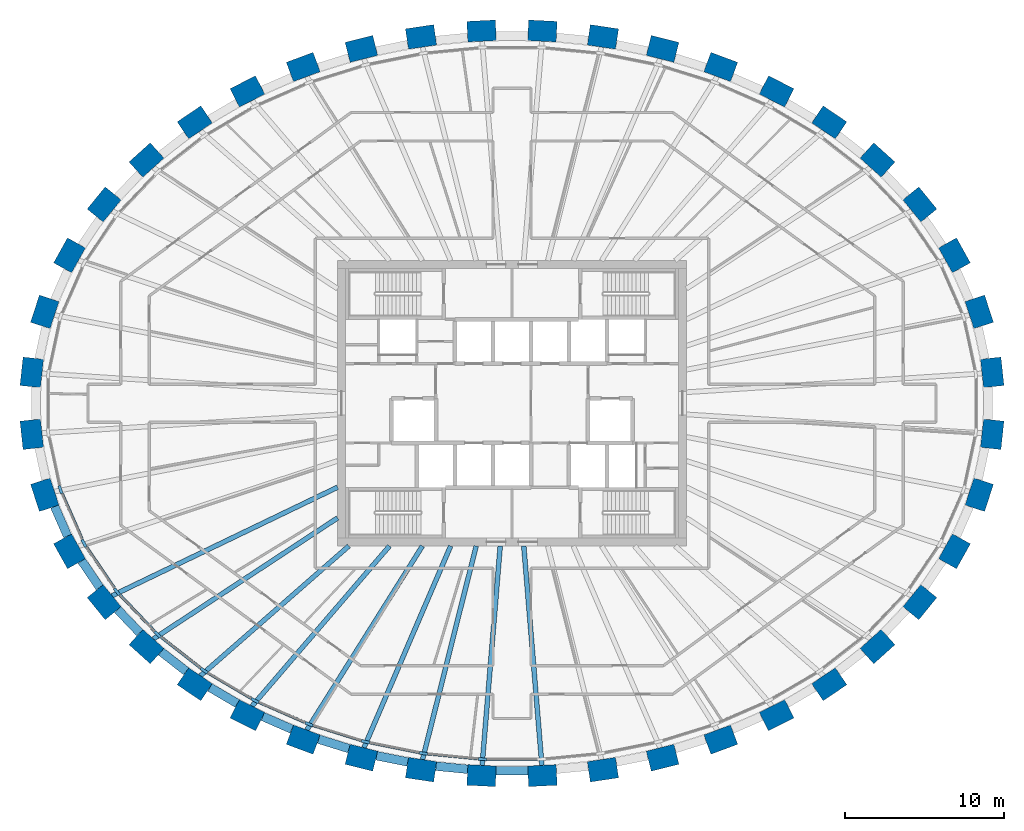
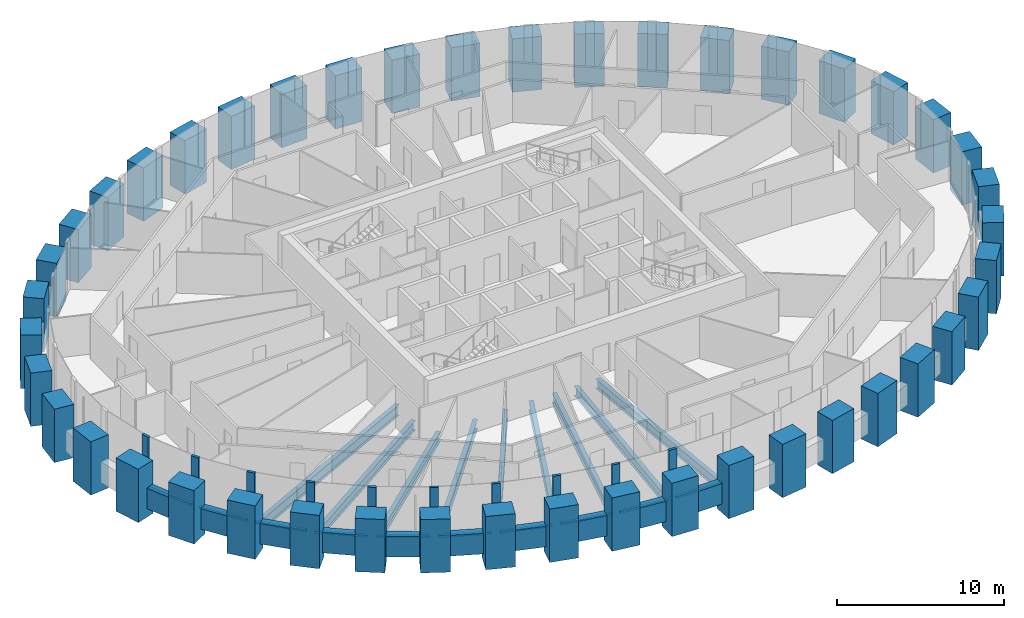
# One storey, part 1 of 11: 44 columns, 20 members, 19 beams, 1 element without a shape of its own.
"""IFC4 building model written with IfcOpenShell, lengths in metres."""

from ifc_helpers import new_model, si_unit, direction, frame, origin, origin_2d, place, context, subcontext, project, spatial, rectangle, i_section, extrude, source, transform, mapped, material, material_profile, profile_set, type_object, element, aggregate, save


model = new_model("IFC4")

# Units and contexts
model_context = context("Model", 3, precision=1e-05, world=origin(), true_north=direction((0.0, 1.0)))
body_context = subcontext(model_context, "Body", "Model", "MODEL_VIEW")
ifc_project = project(units=[si_unit("LENGTHUNIT", "METRE"), si_unit("AREAUNIT", "SQUARE_METRE"), si_unit("VOLUMEUNIT", "CUBIC_METRE"), si_unit("PLANEANGLEUNIT", "RADIAN"), si_unit("MASSUNIT", "GRAM", prefix="KILO")], contexts=[model_context])

# Site, building, storey
site_placement = place(None, origin())
site = spatial("IfcSite", under=ifc_project, at=site_placement, CompositionType="ELEMENT")
building_placement = place(site_placement, origin())
building = spatial("IfcBuilding", under=site, at=building_placement, Name="Embergate Tower", CompositionType="ELEMENT")
storey_placement = place(building_placement, frame((0.0, 0.0, 305.199951171875)))
storey = spatial("IfcBuildingStorey", under=building, at=storey_placement, Name="L71", CompositionType="ELEMENT", Elevation=305.199951171875)

# Columns
ifc_material_1 = material(Name="Concrete C50", Category="concrete")
ifc_material_profile_1 = material_profile(ifc_material_1, rectangle(XDim=1.300048828125, YDim=1.800048828125, at=origin_2d()), Name="RC 1300x1800")
ifc_profile_set_1 = profile_set([ifc_material_profile_1], Name="Concrete C50")
column_type = type_object("IfcColumnType", Name="Ring column RC 1300x1800 C50", PredefinedType="COLUMN", material=ifc_profile_set_1)
shared_shape_1 = source(origin(), body_context, "Body", "SweptSolid", [
    extrude(rectangle(XDim=1.300048828125, YDim=1.800048828125, at=origin_2d()), origin(), (0.0, 0.0, 1.0), 3.89990234375),
])
for number, where, z_axis, x_axis, name in (
    (1, (30.285888671875, 1.951904296875, -1.39990234375), (0.0, 0.0, 1.0), (0.99428589498, 0.106749983816, 0.0), "COL-L71-00"),
    (2, (29.466064453125, 5.76611328125, -1.39990234375), (0.0, 0.0, 1.0), (0.950754033697, 0.309946394413, 0.0), "COL-L71-01"),
    (3, (27.903076171875, 9.3310546875, -1.39990234375), (0.0, 0.0, 1.0), (0.873500465855, 0.486823311018, 0.0), "COL-L71-02"),
    (4, (25.719970703125, 12.541015625, -1.39990234375), (0.0, 0.0, 1.0), (0.775925311702, 0.630824786022, 0.0), "COL-L71-03"),
    (5, (23.050048828125, 15.342041015625, -1.39990234375), (0.0, 0.0, 1.0), (0.669221393633, 0.743063070206, 0.0), "COL-L71-04"),
    (6, (20.007080078125, 17.717041015625, -1.39990234375), (0.0, 0.0, 1.0), (0.560393279442, 0.828226643109, 0.0), "COL-L71-05"),
    (7, (16.68701171875, 19.6689453125, -1.39990234375), (0.0, 0.0, 1.0), (0.453010512651, 0.891505174089, 0.0), "COL-L71-06"),
    (8, (13.1640625, 21.208984375, -1.39990234375), (0.0, 0.0, 1.0), (0.348343015724, 0.93736713373, 0.0), "COL-L71-07"),
    (9, (9.4970703125, 22.35107421875, -1.39990234375), (0.0, 0.0, 1.0), (0.24650851817, 0.969140624713, 0.0), "COL-L71-08"),
    (10, (5.735107421875, 23.10595703125, -1.39990234375), (0.0, 0.0, 1.0), (0.146929011949, 0.989147039346, 0.0), "COL-L71-09"),
    (11, (1.9169921875, 23.48095703125, -1.39990234375), (0.0, 0.0, 1.0), (0.048814904854, 0.998807841912, 0.0), "COL-L71-10"),
    (12, (-1.9169921875, 23.48095703125, -1.39990234375), (0.0, 0.0, 1.0), (-0.048814904854, 0.998807841912, 0.0), "COL-L71-11"),
    (13, (-5.735107421875, 23.10595703125, -1.39990234375), (0.0, 0.0, 1.0), (-0.146929011949, 0.989147039346, 0.0), "COL-L71-12"),
    (14, (-9.4970703125, 22.35107421875, -1.39990234375), (0.0, 0.0, 1.0), (-0.24650851817, 0.969140624713, 0.0), "COL-L71-13"),
    (15, (-13.1640625, 21.208984375, -1.39990234375), (0.0, 0.0, 1.0), (-0.348343015724, 0.93736713373, 0.0), "COL-L71-14"),
    (16, (-16.68701171875, 19.6689453125, -1.39990234375), (0.0, 0.0, 1.0), (-0.453010512651, 0.891505174089, 0.0), "COL-L71-15"),
    (17, (-20.007080078125, 17.717041015625, -1.39990234375), (0.0, 0.0, 1.0), (-0.560393279442, 0.828226643109, 0.0), "COL-L71-16"),
    (18, (-23.050048828125, 15.342041015625, -1.39990234375), (0.0, 0.0, 1.0), (-0.669221393633, 0.743063070206, 0.0), "COL-L71-17"),
    (19, (-25.719970703125, 12.541015625, -1.39990234375), (0.0, 0.0, 1.0), (-0.775925311702, 0.630824786022, 0.0), "COL-L71-18"),
    (20, (-27.903076171875, 9.3310546875, -1.39990234375), (0.0, 0.0, 1.0), (-0.873500465855, 0.486823311018, 0.0), "COL-L71-19"),
    (21, (-29.466064453125, 5.76611328125, -1.39990234375), (0.0, 0.0, 1.0), (-0.950754033697, 0.309946394413, 0.0), "COL-L71-20"),
    (22, (-30.285888671875, 1.951904296875, -1.39990234375), (0.0, 0.0, 1.0), (-0.99428589498, 0.106749983816, 0.0), "COL-L71-21"),
    (23, (-30.285888671875, -1.951904296875, -1.39990234375), (0.0, 0.0, 1.0), (-0.99428589498, -0.106749983816, 0.0), "COL-L71-22"),
    (24, (-29.466064453125, -5.76611328125, -1.39990234375), (0.0, 0.0, 1.0), (-0.950754033697, -0.309946394413, 0.0), "COL-L71-23"),
    (25, (-27.903076171875, -9.3310546875, -1.39990234375), (0.0, 0.0, 1.0), (-0.873500465855, -0.486823311018, 0.0), "COL-L71-24"),
    (26, (-25.719970703125, -12.541015625, -1.39990234375), (0.0, 0.0, 1.0), (-0.775925311702, -0.630824786022, 0.0), "COL-L71-25"),
    (27, (-23.050048828125, -15.342041015625, -1.39990234375), (0.0, 0.0, 1.0), (-0.669221393633, -0.743063070206, 0.0), "COL-L71-26"),
    (28, (-20.007080078125, -17.717041015625, -1.39990234375), (0.0, 0.0, 1.0), (-0.560393279442, -0.828226643109, 0.0), "COL-L71-27"),
    (29, (-16.68701171875, -19.6689453125, -1.39990234375), (0.0, 0.0, 1.0), (-0.453010512651, -0.891505174089, 0.0), "COL-L71-28"),
    (30, (-13.1640625, -21.208984375, -1.39990234375), (0.0, 0.0, 1.0), (-0.348343015724, -0.93736713373, 0.0), "COL-L71-29"),
    (31, (-9.4970703125, -22.35107421875, -1.39990234375), (0.0, 0.0, 1.0), (-0.24650851817, -0.969140624713, 0.0), "COL-L71-30"),
    (32, (-5.735107421875, -23.10595703125, -1.39990234375), (0.0, 0.0, 1.0), (-0.146929011949, -0.989147039346, 0.0), "COL-L71-31"),
    (33, (-1.9169921875, -23.48095703125, -1.39990234375), (0.0, 0.0, 1.0), (-0.048814904854, -0.998807841912, 0.0), "COL-L71-32"),
    (34, (1.9169921875, -23.48095703125, -1.39990234375), (0.0, 0.0, 1.0), (0.048814904854, -0.998807841912, 0.0), "COL-L71-33"),
    (35, (5.735107421875, -23.10595703125, -1.39990234375), (0.0, 0.0, 1.0), (0.146929011949, -0.989147039346, 0.0), "COL-L71-34"),
    (36, (9.4970703125, -22.35107421875, -1.39990234375), (0.0, 0.0, 1.0), (0.24650851817, -0.969140624713, 0.0), "COL-L71-35"),
    (37, (13.1640625, -21.208984375, -1.39990234375), (0.0, 0.0, 1.0), (0.348343015724, -0.93736713373, 0.0), "COL-L71-36"),
    (38, (16.68701171875, -19.6689453125, -1.39990234375), (0.0, 0.0, 1.0), (0.453010512651, -0.891505174089, 0.0), "COL-L71-37"),
    (39, (20.007080078125, -17.717041015625, -1.39990234375), (0.0, 0.0, 1.0), (0.560393279442, -0.828226643109, 0.0), "COL-L71-38"),
    (40, (23.050048828125, -15.342041015625, -1.39990234375), (0.0, 0.0, 1.0), (0.669221393633, -0.743063070206, 0.0), "COL-L71-39"),
    (41, (25.719970703125, -12.541015625, -1.39990234375), (0.0, 0.0, 1.0), (0.775925311702, -0.630824786022, 0.0), "COL-L71-40"),
    (42, (27.903076171875, -9.3310546875, -1.39990234375), (0.0, 0.0, 1.0), (0.873500465855, -0.486823311018, 0.0), "COL-L71-41"),
    (43, (29.466064453125, -5.76611328125, -1.39990234375), (0.0, 0.0, 1.0), (0.950754033697, -0.309946394413, 0.0), "COL-L71-42"),
    (44, (30.285888671875, -1.951904296875, -1.39990234375), (0.0, 0.0, 1.0), (0.99428589498, -0.106749983816, 0.0), "COL-L71-43"),
):
    element("IfcColumn", number, at=place(storey_placement, frame(where, z_axis=z_axis, x_axis=x_axis)), inside=storey, type_object=column_type, Name=name, PredefinedType="COLUMN", context=body_context, shape_type="MappedRepresentation", body=[
        mapped(shared_shape_1, transform((0.0, 0.0, 0.0))),
    ])

# Beams
ifc_material_profile_2 = material_profile(ifc_material_1, rectangle(XDim=0.550048828125, YDim=1.5, at=origin_2d()), Name="RC 550x1500")
ifc_profile_set_2 = profile_set([ifc_material_profile_2], Name="Concrete C50")
beam_type_1 = type_object("IfcBeamType", Name="Spandrel beam RC 550x1500 C50", PredefinedType="BEAM", material=ifc_profile_set_2)
shared_shape_2 = source(origin(), body_context, "Body", "SweptSolid", [
    extrude(rectangle(XDim=0.550048828125, YDim=1.5, at=origin_2d()), origin(), (0.0, 0.0, 1.0), 2.03125),
])
beam_1_placement = place(storey_placement, frame((-28.843017578125, -6.510009765625, 0.0), z_axis=(0.401695096335, -0.915773470669, 0.0), x_axis=(0.915773470669, 0.401695096335, 0.0)))
element("IfcBeam", 45, at=beam_1_placement, inside=storey, type_object=beam_type_1, Name="SPN-L71-23", PredefinedType="BEAM", context=body_context, shape_type="MappedRepresentation", body=[
    mapped(shared_shape_2, transform((0.0, 0.0, 0.0))),
])
shared_shape_3 = source(origin(), body_context, "Body", "SweptSolid", [
    extrude(rectangle(XDim=0.550048828125, YDim=1.5, at=origin_2d()), origin(), (0.0, 0.0, 1.0), 2.02392578125),
])
beam_2_placement = place(storey_placement, frame((-27.137939453125, -9.93505859375, 0.0), z_axis=(0.562220937061, -0.826987072408, 0.0), x_axis=(0.826987072408, 0.562220937061, 0.0)))
element("IfcBeam", 46, at=beam_2_placement, inside=storey, type_object=beam_type_1, Name="SPN-L71-24", PredefinedType="BEAM", context=body_context, shape_type="MappedRepresentation", body=[
    mapped(shared_shape_3, transform((0.0, 0.0, 0.0))),
])
shared_shape_4 = source(origin(), body_context, "Body", "SweptSolid", [
    extrude(rectangle(XDim=0.550048828125, YDim=1.5, at=origin_2d()), origin(), (0.0, 0.0, 1.0), 2.0185546875),
])
beam_3_placement = place(storey_placement, frame((-24.868896484375, -13.009033203125, 0.0), z_axis=(0.690032605045, -0.723778283714, 0.0), x_axis=(0.723778283714, 0.690032605045, 0.0)))
element("IfcBeam", 47, at=beam_3_placement, inside=storey, type_object=beam_type_1, Name="SPN-L71-25", PredefinedType="BEAM", context=body_context, shape_type="MappedRepresentation", body=[
    mapped(shared_shape_4, transform((0.0, 0.0, 0.0))),
])
shared_shape_5 = source(origin(), body_context, "Body", "SweptSolid", [
    extrude(rectangle(XDim=0.550048828125, YDim=1.5, at=origin_2d()), origin(), (0.0, 0.0, 1.0), 2.011962890625),
])
beam_4_placement = place(storey_placement, frame((-22.1279296875, -15.6640625, 0.0), z_axis=(0.788259795351, -0.615342583471, 0.0), x_axis=(0.615342583471, 0.788259795351, 0.0)))
element("IfcBeam", 48, at=beam_4_placement, inside=storey, type_object=beam_type_1, Name="SPN-L71-26", PredefinedType="BEAM", context=body_context, shape_type="MappedRepresentation", body=[
    mapped(shared_shape_5, transform((0.0, 0.0, 0.0))),
])
shared_shape_6 = source(origin(), body_context, "Body", "SweptSolid", [
    extrude(rectangle(XDim=0.550048828125, YDim=1.5, at=origin_2d()), origin(), (0.0, 0.0, 1.0), 2.008056640625),
])
beam_5_placement = place(storey_placement, frame((-19.052978515625, -17.9140625, 0.0), z_axis=(0.86201859197, -0.506876658663, 0.0), x_axis=(0.506876658663, 0.86201859197, 0.0)))
element("IfcBeam", 49, at=beam_5_placement, inside=storey, type_object=beam_type_1, Name="SPN-L71-27", PredefinedType="BEAM", context=body_context, shape_type="MappedRepresentation", body=[
    mapped(shared_shape_6, transform((0.0, 0.0, 0.0))),
])
shared_shape_7 = source(origin(), body_context, "Body", "SweptSolid", [
    extrude(rectangle(XDim=0.550048828125, YDim=1.5, at=origin_2d()), origin(), (0.0, 0.0, 1.0), 2.0068359375),
])
beam_6_placement = place(storey_placement, frame((-15.718994140625, -19.75, 0.0), z_axis=(0.916455842534, -0.400135837793, 0.0), x_axis=(0.400135837793, 0.916455842534, 0.0)))
element("IfcBeam", 50, at=beam_6_placement, inside=storey, type_object=beam_type_1, Name="SPN-L71-28", PredefinedType="BEAM", context=body_context, shape_type="MappedRepresentation", body=[
    mapped(shared_shape_7, transform((0.0, 0.0, 0.0))),
])
shared_shape_8 = source(origin(), body_context, "Body", "SweptSolid", [
    extrude(rectangle(XDim=0.550048828125, YDim=1.5, at=origin_2d()), origin(), (0.0, 0.0, 1.0), 2.0048828125),
])
beam_7_placement = place(storey_placement, frame((-12.194091796875, -21.181884765625, 0.0), z_axis=(0.954756929567, -0.297387298725, 0.0), x_axis=(0.297387298725, 0.954756929567, 0.0)))
element("IfcBeam", 51, at=beam_7_placement, inside=storey, type_object=beam_type_1, Name="SPN-L71-29", PredefinedType="BEAM", context=body_context, shape_type="MappedRepresentation", body=[
    mapped(shared_shape_8, transform((0.0, 0.0, 0.0))),
])
shared_shape_9 = source(origin(), body_context, "Body", "SweptSolid", [
    extrude(rectangle(XDim=0.550048828125, YDim=1.5, at=origin_2d()), origin(), (0.0, 0.0, 1.0), 2.003173828125),
])
beam_8_placement = place(storey_placement, frame((-8.535888671875, -22.222900390625, 0.0), z_axis=(0.980364457571, -0.197194143753, 0.0), x_axis=(0.197194143753, 0.980364457571, 0.0)))
element("IfcBeam", 52, at=beam_8_placement, inside=storey, type_object=beam_type_1, Name="SPN-L71-30", PredefinedType="BEAM", context=body_context, shape_type="MappedRepresentation", body=[
    mapped(shared_shape_9, transform((0.0, 0.0, 0.0))),
])
shared_shape_10 = source(origin(), body_context, "Body", "SweptSolid", [
    extrude(rectangle(XDim=0.550048828125, YDim=1.5, at=origin_2d()), origin(), (0.0, 0.0, 1.0), 2.00341796875),
])
beam_9_placement = place(storey_placement, frame((-4.7919921875, -22.883056640625, 0.0), z_axis=(0.995201107697, -0.097850678276, 0.0), x_axis=(0.097850678276, 0.995201107697, 0.0)))
element("IfcBeam", 53, at=beam_9_placement, inside=storey, type_object=beam_type_1, Name="SPN-L71-31", PredefinedType="BEAM", context=body_context, shape_type="MappedRepresentation", body=[
    mapped(shared_shape_10, transform((0.0, 0.0, 0.0))),
])
shared_shape_11 = source(origin(), body_context, "Body", "SweptSolid", [
    extrude(rectangle(XDim=0.550048828125, YDim=1.5, at=origin_2d()), origin(), (0.0, 0.0, 1.0), 2.001953125),
])
beam_10_placement = place(storey_placement, frame((-1.0009765625, -23.1669921875, 0.0), z_axis=(1.0, 0.0, 0.0), x_axis=(0.0, 1.0, 0.0)))
element("IfcBeam", 54, at=beam_10_placement, inside=storey, type_object=beam_type_1, Name="SPN-L71-32", PredefinedType="BEAM", context=body_context, shape_type="MappedRepresentation", body=[
    mapped(shared_shape_11, transform((0.0, 0.0, 0.0))),
])
ifc_material_2 = material(Name="Steel Q355B", Category="steel")
ifc_material_profile_3 = material_profile(ifc_material_2, i_section(OverallWidth=0.300048828125, OverallDepth=0.800048828125, WebThickness=0.013916015625, FlangeThickness=0.02587890625, FilletRadius=0.028076171875, at=origin_2d()), Name="HN 800x300x14x26")
ifc_profile_set_3 = profile_set([ifc_material_profile_3], Name="Steel Q355 grade B")
beam_type_2 = type_object("IfcBeamType", Name="Radial girder HN 800x300x14x26", PredefinedType="BEAM", material=ifc_profile_set_3)
shared_shape_12 = source(origin(), body_context, "Body", "SweptSolid", [
    extrude(i_section(OverallWidth=0.300048828125, OverallDepth=0.800048828125, WebThickness=0.013916015625, FlangeThickness=0.02587890625, FilletRadius=0.028076171875, at=origin_2d()), origin(), (0.0, 0.0, 1.0), 15.775634765625),
])
beam_11_placement = place(storey_placement, frame((-25.216064453125, -12.131103515625, -0.599853515625), z_axis=(0.901141870193, 0.433524312795, 0.0), x_axis=(-0.433524312795, 0.901141870193, 0.0)))
element("IfcBeam", 55, at=beam_11_placement, inside=storey, type_object=beam_type_2, Name="GIR-L71-25", PredefinedType="BEAM", context=body_context, shape_type="MappedRepresentation", body=[
    mapped(shared_shape_12, transform((0.0, 0.0, 0.0))),
])
ifc_material_profile_4 = material_profile(ifc_material_2, i_section(OverallWidth=0.300048828125, OverallDepth=0.699951171875, WebThickness=0.012939453125, FlangeThickness=0.02392578125, FilletRadius=0.01806640625, at=origin_2d()), Name="HN 700x300x13x24")
ifc_profile_set_4 = profile_set([ifc_material_profile_4], Name="Steel Q355 grade B")
beam_type_3 = type_object("IfcBeamType", Name="Radial girder HN 700x300x13x24", PredefinedType="BEAM", material=ifc_profile_set_4)
shared_shape_13 = source(origin(), body_context, "Body", "SweptSolid", [
    extrude(i_section(OverallWidth=0.300048828125, OverallDepth=0.699951171875, WebThickness=0.012939453125, FlangeThickness=0.02392578125, FilletRadius=0.01806640625, at=origin_2d()), origin(), (0.0, 0.0, 1.0), 13.89794921875),
])
beam_12_placement = place(storey_placement, frame((-22.614990234375, -14.85888671875, -0.550048828125), z_axis=(0.835734272266, 0.549134069386, 0.0), x_axis=(-0.549134069386, 0.835734272266, 0.0)))
element("IfcBeam", 56, at=beam_12_placement, inside=storey, type_object=beam_type_3, Name="GIR-L71-26", PredefinedType="BEAM", context=body_context, shape_type="MappedRepresentation", body=[
    mapped(shared_shape_13, transform((0.0, 0.0, 0.0))),
])
shared_shape_14 = source(origin(), body_context, "Body", "SweptSolid", [
    extrude(i_section(OverallWidth=0.300048828125, OverallDepth=0.699951171875, WebThickness=0.012939453125, FlangeThickness=0.02392578125, FilletRadius=0.01806640625, at=origin_2d()), origin(), (0.0, 0.0, 1.0), 12.424072265625),
])
beam_13_placement = place(storey_placement, frame((-19.64306640625, -17.178955078125, -0.550048828125), z_axis=(0.752739789834, 0.658318166847, 0.0), x_axis=(-0.658318166847, 0.752739789834, 0.0)))
element("IfcBeam", 57, at=beam_13_placement, inside=storey, type_object=beam_type_3, Name="GIR-L71-27", PredefinedType="BEAM", context=body_context, shape_type="MappedRepresentation", body=[
    mapped(shared_shape_14, transform((0.0, 0.0, 0.0))),
])
shared_shape_15 = source(origin(), body_context, "Body", "SweptSolid", [
    extrude(i_section(OverallWidth=0.300048828125, OverallDepth=0.699951171875, WebThickness=0.012939453125, FlangeThickness=0.02392578125, FilletRadius=0.01806640625, at=origin_2d()), origin(), (0.0, 0.0, 1.0), 13.300048828125),
])
beam_14_placement = place(storey_placement, frame((-16.39306640625, -19.090087890625, -0.550048828125), z_axis=(0.651501585067, 0.758647272885, 0.0), x_axis=(-0.758647272885, 0.651501585067, 0.0)))
element("IfcBeam", 58, at=beam_14_placement, inside=storey, type_object=beam_type_3, Name="GIR-L71-28", PredefinedType="BEAM", context=body_context, shape_type="MappedRepresentation", body=[
    mapped(shared_shape_15, transform((0.0, 0.0, 0.0))),
])
shared_shape_16 = source(origin(), body_context, "Body", "SweptSolid", [
    extrude(i_section(OverallWidth=0.300048828125, OverallDepth=0.699951171875, WebThickness=0.012939453125, FlangeThickness=0.02392578125, FilletRadius=0.01806640625, at=origin_2d()), origin(), (0.0, 0.0, 1.0), 13.698486328125),
])
beam_15_placement = place(storey_placement, frame((-12.93798828125, -20.60009765625, -0.550048828125), z_axis=(0.5318784163, 0.846820730895, 0.0), x_axis=(-0.846820730895, 0.5318784163, 0.0)))
element("IfcBeam", 59, at=beam_15_placement, inside=storey, type_object=beam_type_3, Name="GIR-L71-29", PredefinedType="BEAM", context=body_context, shape_type="MappedRepresentation", body=[
    mapped(shared_shape_16, transform((0.0, 0.0, 0.0))),
])
shared_shape_17 = source(origin(), body_context, "Body", "SweptSolid", [
    extrude(i_section(OverallWidth=0.300048828125, OverallDepth=0.699951171875, WebThickness=0.012939453125, FlangeThickness=0.02392578125, FilletRadius=0.01806640625, at=origin_2d()), origin(), (0.0, 0.0, 1.0), 13.846435546875),
])
beam_16_placement = place(storey_placement, frame((-9.3369140625, -21.720947265625, -0.550048828125), z_axis=(0.394906469697, 0.918721328909, 0.0), x_axis=(-0.918721328909, 0.394906469697, 0.0)))
element("IfcBeam", 60, at=beam_16_placement, inside=storey, type_object=beam_type_3, Name="GIR-L71-30", PredefinedType="BEAM", context=body_context, shape_type="MappedRepresentation", body=[
    mapped(shared_shape_17, transform((0.0, 0.0, 0.0))),
])
shared_shape_18 = source(origin(), body_context, "Body", "SweptSolid", [
    extrude(i_section(OverallWidth=0.300048828125, OverallDepth=0.699951171875, WebThickness=0.012939453125, FlangeThickness=0.02392578125, FilletRadius=0.01806640625, at=origin_2d()), origin(), (0.0, 0.0, 1.0), 13.88037109375),
])
beam_17_placement = place(storey_placement, frame((-5.638916015625, -22.462890625, -0.550048828125), z_axis=(0.243429448645, 0.969918606653, 0.0), x_axis=(-0.969918606653, 0.243429448645, 0.0)))
element("IfcBeam", 61, at=beam_17_placement, inside=storey, type_object=beam_type_3, Name="GIR-L71-31", PredefinedType="BEAM", context=body_context, shape_type="MappedRepresentation", body=[
    mapped(shared_shape_18, transform((0.0, 0.0, 0.0))),
])
shared_shape_19 = source(origin(), body_context, "Body", "SweptSolid", [
    extrude(i_section(OverallWidth=0.300048828125, OverallDepth=0.699951171875, WebThickness=0.012939453125, FlangeThickness=0.02392578125, FilletRadius=0.01806640625, at=origin_2d()), origin(), (0.0, 0.0, 1.0), 13.879150390625),
])
for number, where, z_axis, x_axis, name in (
    (62, (-1.885009765625, -22.83203125, -0.550048828125), (0.082288456924, 0.996608553975, 0.0), (-0.996608553975, 0.082288456924, 0.0), "GIR-L71-32"),
    (63, (1.885009765625, -22.83203125, -0.550048828125), (-0.082288456924, 0.996608553975, 0.0), (-0.996608553975, -0.082288456924, 0.0), "GIR-L71-33"),
):
    element("IfcBeam", number, at=place(storey_placement, frame(where, z_axis=z_axis, x_axis=x_axis)), inside=storey, type_object=beam_type_3, Name=name, PredefinedType="BEAM", context=body_context, shape_type="MappedRepresentation", body=[
        mapped(shared_shape_19, transform((0.0, 0.0, 0.0))),
    ])

# Curtain wall, members
ifc_material_3 = material(Name="Aluminium and glass", Category="aluminium")
curtain_wall_type = type_object("IfcCurtainWallType", Name="Recessed office glazing", PredefinedType="NOTDEFINED", material=ifc_material_3)
curtain_wall_placement = place(storey_placement, origin())
curtain_wall = element("IfcCurtainWall", 64, at=curtain_wall_placement, inside=storey, type_object=curtain_wall_type, Name="Recessed office glazing ring", ObjectType="RECESSED OFFICE GLAZING", PredefinedType="USERDEFINED")
ifc_material_4 = material(Name="Aluminium, thermally broken", Category="aluminium")
ifc_material_profile_5 = material_profile(ifc_material_4, rectangle(XDim=0.179931640625, YDim=0.52001953125, at=origin_2d()), Name="AL 520x180")
ifc_profile_set_5 = profile_set([ifc_material_profile_5], Name="Aluminium, thermally broken")
member_type_1 = type_object("IfcMemberType", Name="Office mullion", PredefinedType="MULLION", material=ifc_profile_set_5)
shared_shape_20 = source(origin(), body_context, "Body", "SweptSolid", [
    extrude(rectangle(XDim=0.179931640625, YDim=0.52001953125, at=origin_2d()), origin(), (0.0, 0.0, 1.0), 3.699951171875),
])
member_1_placement = place(storey_placement, frame((-28.47705078125, -5.44384765625, 0.0), z_axis=(0.0, 0.0, 1.0), x_axis=(0.951492965233, 0.307670500881, 0.0)))
member_1 = element("IfcMember", 65, at=member_1_placement, type_object=member_type_1, Name="CW mullion 24", PredefinedType="MULLION", context=body_context, shape_type="MappedRepresentation", body=[
    mapped(shared_shape_20, transform((0.0, 0.0, 0.0))),
])
member_2_placement = place(storey_placement, frame((-26.994140625, -8.824951171875, 0.0), z_axis=(0.0, 0.0, 1.0), x_axis=(0.87499344622, 0.484134763338, 0.0)))
member_2 = element("IfcMember", 66, at=member_2_placement, type_object=member_type_1, Name="CW mullion 25", PredefinedType="MULLION", context=body_context, shape_type="MappedRepresentation", body=[
    mapped(shared_shape_20, transform((0.0, 0.0, 0.0))),
])
member_3_placement = place(storey_placement, frame((-24.913330078125, -11.884765625, 0.0), z_axis=(0.0, 0.0, 1.0), x_axis=(0.777863789852, 0.628432911643, 0.0)))
member_3 = element("IfcMember", 67, at=member_3_placement, type_object=member_type_1, Name="CW mullion 26", PredefinedType="MULLION", context=body_context, shape_type="MappedRepresentation", body=[
    mapped(shared_shape_20, transform((0.0, 0.0, 0.0))),
])
member_4_placement = place(storey_placement, frame((-22.353759765625, -14.56884765625, 0.0), z_axis=(0.0, 0.0, 1.0), x_axis=(0.671220065284, 0.741258135847, 0.0)))
member_4 = element("IfcMember", 68, at=member_4_placement, type_object=member_type_1, Name="CW mullion 27", PredefinedType="MULLION", context=body_context, shape_type="MappedRepresentation", body=[
    mapped(shared_shape_20, transform((0.0, 0.0, 0.0))),
])
member_5_placement = place(storey_placement, frame((-19.42431640625, -16.855224609375, 0.0), z_axis=(0.0, 0.0, 1.0), x_axis=(0.56221328843, 0.826992272221, 0.0)))
member_5 = element("IfcMember", 69, at=member_5_placement, type_object=member_type_1, Name="CW mullion 28", PredefinedType="MULLION", context=body_context, shape_type="MappedRepresentation", body=[
    mapped(shared_shape_20, transform((0.0, 0.0, 0.0))),
])
member_6_placement = place(storey_placement, frame((-16.2158203125, -18.741455078125, 0.0), z_axis=(0.0, 0.0, 1.0), x_axis=(0.454508271251, 0.890742516872, 0.0)))
member_6 = element("IfcMember", 70, at=member_6_placement, type_object=member_type_1, Name="CW mullion 29", PredefinedType="MULLION", context=body_context, shape_type="MappedRepresentation", body=[
    mapped(shared_shape_20, transform((0.0, 0.0, 0.0))),
])
member_7_placement = place(storey_placement, frame((-12.801513671875, -20.234619140625, 0.0), z_axis=(0.0, 0.0, 1.0), x_axis=(0.349501047589, 0.936935973124, 0.0)))
member_7 = element("IfcMember", 71, at=member_7_placement, type_object=member_type_1, Name="CW mullion 30", PredefinedType="MULLION", context=body_context, shape_type="MappedRepresentation", body=[
    mapped(shared_shape_20, transform((0.0, 0.0, 0.0))),
])
member_8_placement = place(storey_placement, frame((-9.240478515625, -21.343505859375, 0.0), z_axis=(0.0, 0.0, 1.0), x_axis=(0.24731188137, 0.968935928394, 0.0)))
member_8 = element("IfcMember", 72, at=member_8_placement, type_object=member_type_1, Name="CW mullion 31", PredefinedType="MULLION", context=body_context, shape_type="MappedRepresentation", body=[
    mapped(shared_shape_20, transform((0.0, 0.0, 0.0))),
])
member_9_placement = place(storey_placement, frame((-5.581787109375, -22.0771484375, 0.0), z_axis=(0.0, 0.0, 1.0), x_axis=(0.147412382818, 0.989075118174, 0.0)))
member_9 = element("IfcMember", 73, at=member_9_placement, type_object=member_type_1, Name="CW mullion 32", PredefinedType="MULLION", context=body_context, shape_type="MappedRepresentation", body=[
    mapped(shared_shape_20, transform((0.0, 0.0, 0.0))),
])
member_10_placement = place(storey_placement, frame((-1.86669921875, -22.4423828125, 0.0), z_axis=(0.0, 0.0, 1.0), x_axis=(0.048971796621, 0.998800161762, 0.0)))
member_10 = element("IfcMember", 74, at=member_10_placement, type_object=member_type_1, Name="CW mullion 33", PredefinedType="MULLION", context=body_context, shape_type="MappedRepresentation", body=[
    mapped(shared_shape_20, transform((0.0, 0.0, 0.0))),
])
ifc_material_profile_6 = material_profile(ifc_material_4, rectangle(XDim=0.179931640625, YDim=0.14990234375, at=origin_2d()), Name="AL 150x180")
ifc_profile_set_6 = profile_set([ifc_material_profile_6], Name="Aluminium, thermally broken")
member_type_2 = type_object("IfcMemberType", Name="Office sill transom", PredefinedType="USERDEFINED", material=ifc_profile_set_6)
shared_shape_21 = source(origin(), body_context, "Body", "SweptSolid", [
    extrude(rectangle(XDim=0.179931640625, YDim=0.14990234375, at=origin_2d()), origin(), (0.0, 0.0, 1.0), 3.172119140625),
])
member_11_placement = place(storey_placement, frame((-28.37255859375, -5.681884765625, 0.074951171875), z_axis=(0.401606005278, -0.915812544424, 0.0), x_axis=(0.915812544424, 0.401606005278, 0.0)))
member_11 = element("IfcMember", 75, at=member_11_placement, type_object=member_type_2, Name="CW transom 24.1", ObjectType="TRANSOM", PredefinedType="USERDEFINED", context=body_context, shape_type="MappedRepresentation", body=[
    mapped(shared_shape_21, transform((0.0, 0.0, 0.0))),
])
shared_shape_22 = source(origin(), body_context, "Body", "SweptSolid", [
    extrude(rectangle(XDim=0.179931640625, YDim=0.14990234375, at=origin_2d()), origin(), (0.0, 0.0, 1.0), 3.180419921875),
])
member_12_placement = place(storey_placement, frame((-26.847900390625, -9.039794921875, 0.074951171875), z_axis=(0.562276427382, -0.826949345009, 0.0), x_axis=(0.826949345009, 0.562276427382, 0.0)))
member_12 = element("IfcMember", 76, at=member_12_placement, type_object=member_type_2, Name="CW transom 25.1", ObjectType="TRANSOM", PredefinedType="USERDEFINED", context=body_context, shape_type="MappedRepresentation", body=[
    mapped(shared_shape_22, transform((0.0, 0.0, 0.0))),
])
shared_shape_23 = source(origin(), body_context, "Body", "SweptSolid", [
    extrude(rectangle(XDim=0.179931640625, YDim=0.14990234375, at=origin_2d()), origin(), (0.0, 0.0, 1.0), 3.188720703125),
])
member_13_placement = place(storey_placement, frame((-24.73388671875, -12.072998046875, 0.074951171875), z_axis=(0.690140615527, -0.723675293761, 0.0), x_axis=(0.723675293761, 0.690140615527, 0.0)))
member_13 = element("IfcMember", 77, at=member_13_placement, type_object=member_type_2, Name="CW transom 26.1", ObjectType="TRANSOM", PredefinedType="USERDEFINED", context=body_context, shape_type="MappedRepresentation", body=[
    mapped(shared_shape_23, transform((0.0, 0.0, 0.0))),
])
shared_shape_24 = source(origin(), body_context, "Body", "SweptSolid", [
    extrude(rectangle(XDim=0.179931640625, YDim=0.14990234375, at=origin_2d()), origin(), (0.0, 0.0, 1.0), 3.196044921875),
])
member_14_placement = place(storey_placement, frame((-22.148681640625, -14.728759765625, 0.074951171875), z_axis=(0.788302228684, -0.615288222098, 0.0), x_axis=(0.615288222098, 0.788302228684, 0.0)))
member_14 = element("IfcMember", 78, at=member_14_placement, type_object=member_type_2, Name="CW transom 27.1", ObjectType="TRANSOM", PredefinedType="USERDEFINED", context=body_context, shape_type="MappedRepresentation", body=[
    mapped(shared_shape_24, transform((0.0, 0.0, 0.0))),
])
shared_shape_25 = source(origin(), body_context, "Body", "SweptSolid", [
    extrude(rectangle(XDim=0.179931640625, YDim=0.14990234375, at=origin_2d()), origin(), (0.0, 0.0, 1.0), 3.201904296875),
])
member_15_placement = place(storey_placement, frame((-19.2001953125, -16.98681640625, 0.074951171875), z_axis=(0.862053756613, -0.506816851248, 0.0), x_axis=(0.506816851248, 0.862053756613, 0.0)))
member_15 = element("IfcMember", 79, at=member_15_placement, type_object=member_type_2, Name="CW transom 28.1", ObjectType="TRANSOM", PredefinedType="USERDEFINED", context=body_context, shape_type="MappedRepresentation", body=[
    mapped(shared_shape_25, transform((0.0, 0.0, 0.0))),
])
shared_shape_26 = source(origin(), body_context, "Body", "SweptSolid", [
    extrude(rectangle(XDim=0.179931640625, YDim=0.14990234375, at=origin_2d()), origin(), (0.0, 0.0, 1.0), 3.206298828125),
])
member_16_placement = place(storey_placement, frame((-15.9775390625, -18.845703125, 0.074951171875), z_axis=(0.916225475643, -0.400663047688, 0.0), x_axis=(0.400663047688, 0.916225475643, 0.0)))
member_16 = element("IfcMember", 80, at=member_16_placement, type_object=member_type_2, Name="CW transom 29.1", ObjectType="TRANSOM", PredefinedType="USERDEFINED", context=body_context, shape_type="MappedRepresentation", body=[
    mapped(shared_shape_26, transform((0.0, 0.0, 0.0))),
])
shared_shape_27 = source(origin(), body_context, "Body", "SweptSolid", [
    extrude(rectangle(XDim=0.179931640625, YDim=0.14990234375, at=origin_2d()), origin(), (0.0, 0.0, 1.0), 3.20947265625),
])
member_17_placement = place(storey_placement, frame((-12.55322265625, -20.311767578125, 0.074951171875), z_axis=(0.954765144534, -0.297360923431, 0.0), x_axis=(0.297360923431, 0.954765144534, 0.0)))
member_17 = element("IfcMember", 81, at=member_17_placement, type_object=member_type_2, Name="CW transom 30.1", ObjectType="TRANSOM", PredefinedType="USERDEFINED", context=body_context, shape_type="MappedRepresentation", body=[
    mapped(shared_shape_27, transform((0.0, 0.0, 0.0))),
])
shared_shape_28 = source(origin(), body_context, "Body", "SweptSolid", [
    extrude(rectangle(XDim=0.179931640625, YDim=0.14990234375, at=origin_2d()), origin(), (0.0, 0.0, 1.0), 3.211669921875),
])
member_18_placement = place(storey_placement, frame((-8.985595703125, -21.39453125, 0.074951171875), z_axis=(0.980472347912, -0.196656998298, 0.0), x_axis=(0.196656998298, 0.980472347912, 0.0)))
member_18 = element("IfcMember", 82, at=member_18_placement, type_object=member_type_2, Name="CW transom 31.1", ObjectType="TRANSOM", PredefinedType="USERDEFINED", context=body_context, shape_type="MappedRepresentation", body=[
    mapped(shared_shape_28, transform((0.0, 0.0, 0.0))),
])
shared_shape_29 = source(origin(), body_context, "Body", "SweptSolid", [
    extrude(rectangle(XDim=0.179931640625, YDim=0.14990234375, at=origin_2d()), origin(), (0.0, 0.0, 1.0), 3.212890625),
])
member_19_placement = place(storey_placement, frame((-5.322998046875, -22.102783203125, 0.074951171875), z_axis=(0.995206508067, -0.097795737641, 0.0), x_axis=(0.097795737641, 0.995206508067, 0.0)))
member_19 = element("IfcMember", 83, at=member_19_placement, type_object=member_type_2, Name="CW transom 32.1", ObjectType="TRANSOM", PredefinedType="USERDEFINED", context=body_context, shape_type="MappedRepresentation", body=[
    mapped(shared_shape_29, transform((0.0, 0.0, 0.0))),
])
shared_shape_30 = source(origin(), body_context, "Body", "SweptSolid", [
    extrude(rectangle(XDim=0.179931640625, YDim=0.14990234375, at=origin_2d()), origin(), (0.0, 0.0, 1.0), 3.21337890625),
])
member_20_placement = place(storey_placement, frame((-1.606689453125, -22.4423828125, 0.074951171875), z_axis=(1.0, 0.0, 0.0), x_axis=(0.0, 1.0, 0.0)))
member_20 = element("IfcMember", 84, at=member_20_placement, type_object=member_type_2, Name="CW transom 33.1", ObjectType="TRANSOM", PredefinedType="USERDEFINED", context=body_context, shape_type="MappedRepresentation", body=[
    mapped(shared_shape_30, transform((0.0, 0.0, 0.0))),
])
aggregate(curtain_wall, [member_1, member_2, member_3, member_4, member_5, member_6, member_7, member_8, member_9, member_10, member_11, member_12, member_13, member_14, member_15, member_16, member_17, member_18, member_19, member_20])

save(model, "model.ifc")
